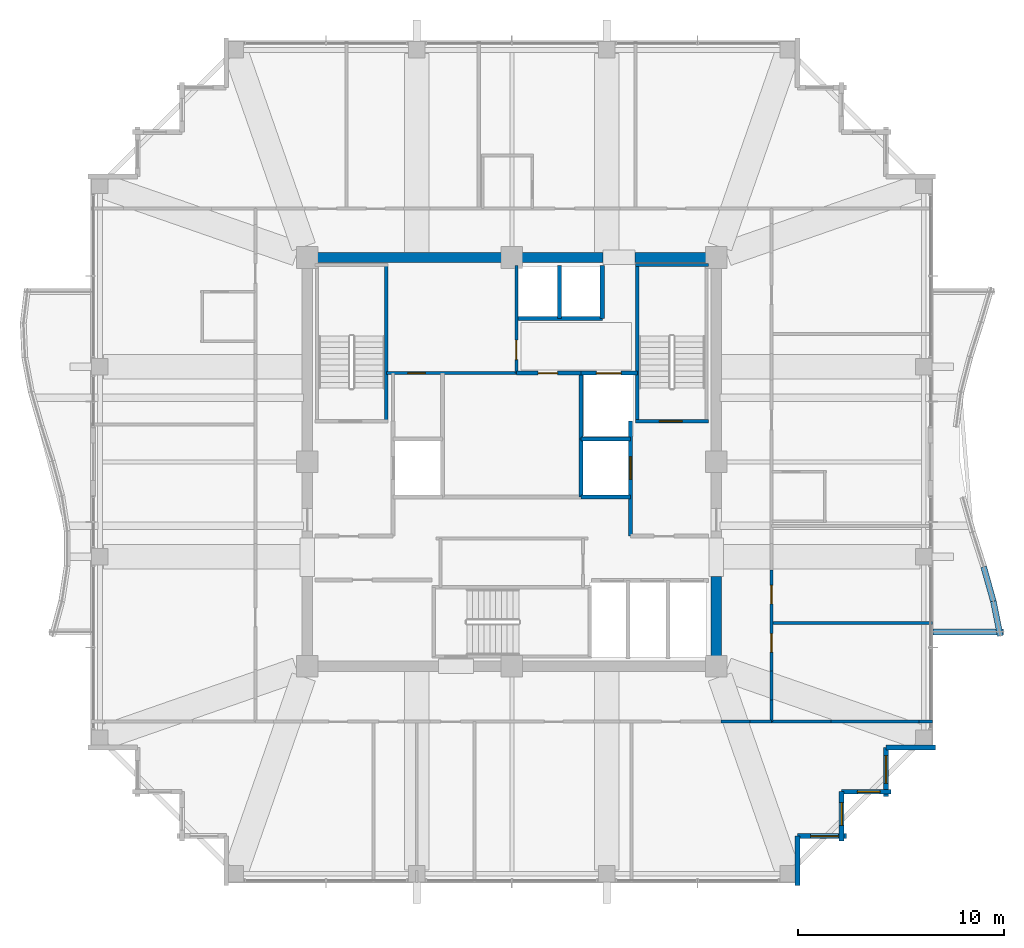
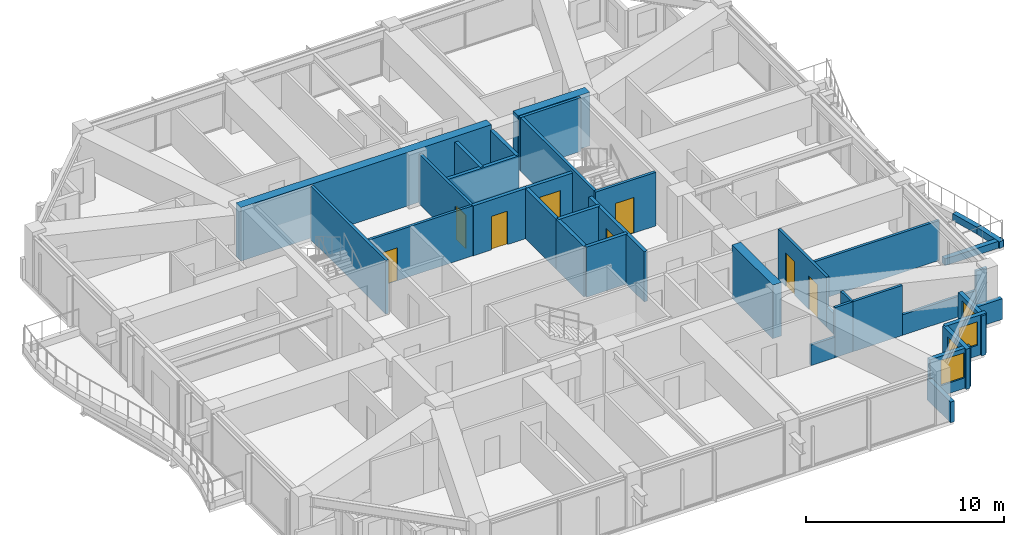
# One storey, part 31 of 35: 37 walls, 8 doors, 4 windows, 12 openings.
"""IFC4 building model written with IfcOpenShell, lengths in metres."""

from ifc_helpers import new_model, si_unit, direction, frame, frame_2d, origin, place, context, subcontext, project, spatial, rectangle, extrude, material, layer, layer_set, type_object, element, fill, save


model = new_model("IFC4")

# Units and contexts
model_context = context("Model", 3, precision=1e-05, world=origin(), true_north=direction((0.0, 1.0)))
body_context = subcontext(model_context, "Body", "Model", "MODEL_VIEW")
ifc_project = project(units=[si_unit("LENGTHUNIT", "METRE"), si_unit("AREAUNIT", "SQUARE_METRE"), si_unit("VOLUMEUNIT", "CUBIC_METRE"), si_unit("PLANEANGLEUNIT", "RADIAN"), si_unit("MASSUNIT", "GRAM", prefix="KILO")], contexts=[model_context])

# Site, building, storey
site_placement = place(None, origin())
site = spatial("IfcSite", under=ifc_project, at=site_placement, CompositionType="ELEMENT")
building_placement = place(site_placement, origin())
building = spatial("IfcBuilding", under=site, at=building_placement, Name="Kolvaren Belvedere", CompositionType="ELEMENT")
storey_placement = place(building_placement, frame((0.0, 0.0, 203.10009765625)))
storey = spatial("IfcBuildingStorey", under=building, at=storey_placement, Name="L59", CompositionType="ELEMENT", Elevation=203.10009765625)

# Walls
ifc_material_1 = material(Name="Concrete C50/60", Category="concrete")
ifc_layer_1 = layer(ifc_material_1, 0.5)
ifc_layer_set_1 = layer_set([ifc_layer_1], Name="Concrete C50/60")
wall_type_1 = type_object("IfcWallType", Name="CW-CORE-500", PredefinedType="SHEAR", material=ifc_layer_set_1)
wall_1_placement = place(storey_placement, frame((-10.14990234375, 9.89990234375, 0.0), z_axis=(0.0, 0.0, 1.0), x_axis=(1.0, 0.0, 0.0)))
element("IfcWall", 1, at=wall_1_placement, inside=storey, type_object=wall_type_1, Name="L59 North Core Shear Wall 1", PredefinedType="SHEAR", context=body_context, shape_type="SweptSolid", body=[
    extrude(rectangle(XDim=14.56982421875, YDim=0.5, at=frame_2d((7.284912109375, 0.0))), origin(), (0.0, 0.0, 1.0), 3.2998046875),
])
wall_2_placement = place(storey_placement, frame((5.97998046875, 9.89990234375, 0.0), z_axis=(0.0, 0.0, 1.0), x_axis=(1.0, 0.0, 0.0)))
element("IfcWall", 2, at=wall_2_placement, inside=storey, type_object=wall_type_1, Name="L59 North Core Shear Wall 2", PredefinedType="SHEAR", context=body_context, shape_type="SweptSolid", body=[
    extrude(rectangle(XDim=4.169921875, YDim=0.5, at=frame_2d((2.0849609375, 0.0))), origin(), (0.0, 0.0, 1.0), 3.2998046875),
])
wall_3_placement = place(storey_placement, frame((9.89990234375, -9.64990234375, 0.0), z_axis=(0.0, 0.0, 1.0), x_axis=(0.0, 1.0, 0.0)))
element("IfcWall", 3, at=wall_3_placement, inside=storey, type_object=wall_type_1, Name="L59 East Core Shear Wall 1", PredefinedType="SHEAR", context=body_context, shape_type="SweptSolid", body=[
    extrude(rectangle(XDim=4.099853515625, YDim=0.5, at=frame_2d((2.0498046875, 0.0))), origin(), (0.0, 0.0, 1.0), 3.2998046875),
])
ifc_material_2 = material(Name="Concrete C50/60", Category="concrete")
ifc_layer_2 = layer(ifc_material_2, 0.159912109375)
ifc_layer_set_2 = layer_set([ifc_layer_2], Name="Concrete C50/60")
wall_type_2 = type_object("IfcWallType", Name="CW-STAIR-160", PredefinedType="SHEAR", material=ifc_layer_set_2)
wall_4_placement = place(storey_placement, frame((-6.080078125, 1.969970703125, 0.0), z_axis=(0.0, 0.0, 1.0), x_axis=(0.0, 1.0, 0.0)))
element("IfcWall", 4, at=wall_4_placement, inside=storey, type_object=wall_type_2, Name="L59 Stair ST-1 East Shear Wall", PredefinedType="SHEAR", context=body_context, shape_type="SweptSolid", body=[
    extrude(rectangle(XDim=7.56005859375, YDim=0.159912109375, at=frame_2d((3.780029296875, 0.0))), origin(), (0.0, 0.0, 1.0), 3.2998046875),
])

# Wall, opening, door
wall_5_placement = place(storey_placement, frame((6.0, 1.969970703125, 0.0), z_axis=(0.0, 0.0, 1.0), x_axis=(1.0, 0.0, 0.0)))
wall_5 = element("IfcWall", 5, at=wall_5_placement, inside=storey, type_object=wall_type_2, Name="L59 Stair ST-2 South Shear Wall", PredefinedType="SHEAR", context=body_context, shape_type="SweptSolid", body=[
    extrude(rectangle(XDim=3.52001953125, YDim=0.159912109375, at=frame_2d((1.760009765625, 0.0))), origin(), (0.0, 0.0, 1.0), 3.2998046875),
])
opening_1_placement = place(wall_5_placement, frame((1.14990234375, 0.0, 0.0)))
opening_1 = element("IfcOpeningElement", 6, at=opening_1_placement, cuts=wall_5, Name="Opening D-FD90", PredefinedType="OPENING", context=body_context, shape_type="SweptSolid", body=[
    extrude(rectangle(XDim=1.10009765625, YDim=2.199951171875, at=frame_2d((0.550048828125, 1.10009765625))), frame((0.0, 0.08984375, 0.0), z_axis=(0.0, -1.0, 0.0), x_axis=(1.0, 0.0, 0.0)), (0.0, 0.0, 1.0), 0.179931640625),
])
ifc_material_3 = material(Name="Painted hollow stainless steel", Category="steel")
door_type_1 = type_object("IfcDoorType", Name="DR-FD90-1100", OperationType="NOTDEFINED", PredefinedType="DOOR", material=ifc_material_3)
door_1_placement = place(opening_1_placement, origin())
door_1 = element("IfcDoor", 7, at=door_1_placement, inside=storey, type_object=door_type_1, Name="L59 Stair ST-2 Fire Door", OperationType="SINGLE_SWING_RIGHT", OverallHeight=2.199951171875, OverallWidth=1.10009765625, PredefinedType="DOOR", context=body_context, shape_type="SweptSolid", body=[
    extrude(rectangle(XDim=1.10009765625, YDim=2.199951171875, at=frame_2d((0.550048828125, 1.10009765625))), frame((0.0, 0.02490234375, 0.0), z_axis=(0.0, -1.0, 0.0), x_axis=(1.0, 0.0, 0.0)), (0.0, 0.0, 1.0), 0.050048828125),
])
fill(opening_1, door_1)

# Walls
wall_6_placement = place(storey_placement, frame((6.0, 9.530029296875, 0.0), z_axis=(0.0, 0.0, 1.0), x_axis=(1.0, 0.0, 0.0)))
element("IfcWall", 8, at=wall_6_placement, inside=storey, type_object=wall_type_2, Name="L59 Stair ST-2 North Shear Wall", PredefinedType="SHEAR", context=body_context, shape_type="SweptSolid", body=[
    extrude(rectangle(XDim=3.52001953125, YDim=0.159912109375, at=frame_2d((1.760009765625, 0.0))), origin(), (0.0, 0.0, 1.0), 3.2998046875),
])
wall_7_placement = place(storey_placement, frame((6.080078125, 1.969970703125, 0.0), z_axis=(0.0, 0.0, 1.0), x_axis=(0.0, 1.0, 0.0)))
element("IfcWall", 9, at=wall_7_placement, inside=storey, type_object=wall_type_2, Name="L59 Stair ST-2 West Shear Wall", PredefinedType="SHEAR", context=body_context, shape_type="SweptSolid", body=[
    extrude(rectangle(XDim=7.56005859375, YDim=0.159912109375, at=frame_2d((3.780029296875, 0.0))), origin(), (0.0, 0.0, 1.0), 3.2998046875),
])
ifc_material_4 = material(Name="Gypsum fire-rated partition assembly", Category="gypsum")
ifc_layer_3 = layer(ifc_material_4, 0.14990234375)
ifc_layer_set_3 = layer_set([ifc_layer_3], Name="Gypsum fire-rated partition assembly")
wall_type_3 = type_object("IfcWallType", Name="WL-CORR-150", PredefinedType="PARTITIONING", material=ifc_layer_set_3)
wall_8_placement = place(storey_placement, frame((10.125, -12.580078125, 0.0), z_axis=(0.0, 0.0, 1.0), x_axis=(1.0, 0.0, 0.0)))
element("IfcWall", 10, at=wall_8_placement, inside=storey, type_object=wall_type_3, Name="L59 South Corridor Wall", PredefinedType="PARTITIONING", context=body_context, shape_type="SweptSolid", body=[
    extrude(rectangle(XDim=1.416748046875, YDim=0.14990234375, at=frame_2d((0.70849609375, 0.0))), origin(), (0.0, 0.0, 1.0), 1.264892578125),
])
for number, where, z_axis, x_axis, name in (
    (11, (11.541748046875, -12.580078125, 0.0), (0.0, 0.0, 1.0), (1.0, 0.0, 0.0), "L59 South Corridor Wall"),
    (12, (12.580078125, -12.580078125, 0.0), (0.0, 0.0, 1.0), (0.0, 1.0, 0.0), "L59 East Corridor Wall"),
):
    element("IfcWall", number, at=place(storey_placement, frame(where, z_axis=z_axis, x_axis=x_axis)), inside=storey, type_object=wall_type_3, Name=name, PredefinedType="PARTITIONING", context=body_context, shape_type="SweptSolid", body=[
        extrude(rectangle(XDim=1.038330078125, YDim=0.14990234375, at=frame_2d((0.51904296875, 0.0))), origin(), (0.0, 0.0, 1.0), 3.079833984375),
    ])
wall_9_placement = place(storey_placement, frame((12.580078125, -11.541748046875, 0.0), z_axis=(0.0, 0.0, 1.0), x_axis=(0.0, 1.0, 0.0)))
element("IfcWall", 13, at=wall_9_placement, inside=storey, type_object=wall_type_3, Name="L59 East Corridor Wall", PredefinedType="PARTITIONING", context=body_context, shape_type="SweptSolid", body=[
    extrude(rectangle(XDim=1.416748046875, YDim=0.14990234375, at=frame_2d((0.70849609375, 0.0))), origin(), (0.0, 0.0, 1.0), 1.264892578125),
])

# Wall, openings, doors
wall_10_placement = place(storey_placement, frame((12.580078125, -10.125, 0.0), z_axis=(0.0, 0.0, 1.0), x_axis=(0.0, 1.0, 0.0)))
wall_10 = element("IfcWall", 14, at=wall_10_placement, inside=storey, type_object=wall_type_3, Name="L59 East Corridor Wall", PredefinedType="PARTITIONING", context=body_context, shape_type="SweptSolid", body=[
    extrude(rectangle(XDim=4.883056640625, YDim=0.14990234375, at=frame_2d((2.44140625, 0.0))), origin(), (0.0, 0.0, 1.0), 3.079833984375),
])
opening_2_placement = place(wall_10_placement, frame((0.908203125, 0.0, 0.0)))
opening_2 = element("IfcOpeningElement", 15, at=opening_2_placement, cuts=wall_10, Name="Opening D-INT90", PredefinedType="OPENING", context=body_context, shape_type="SweptSolid", body=[
    extrude(rectangle(XDim=0.89990234375, YDim=2.06005859375, at=frame_2d((0.449951171875, 1.030029296875))), frame((0.0, 0.0849609375, 0.0), z_axis=(0.0, -1.0, 0.0), x_axis=(1.0, 0.0, 0.0)), (0.0, 0.0, 1.0), 0.169921875),
])
opening_3_placement = place(wall_10_placement, frame((3.2431640625, 0.0, 0.0)))
opening_3 = element("IfcOpeningElement", 16, at=opening_3_placement, cuts=wall_10, Name="Opening D-INT90", PredefinedType="OPENING", context=body_context, shape_type="SweptSolid", body=[
    extrude(rectangle(XDim=0.89990234375, YDim=2.06005859375, at=frame_2d((0.449951171875, 1.030029296875))), frame((0.0, 0.0849609375, 0.0), z_axis=(0.0, -1.0, 0.0), x_axis=(1.0, 0.0, 0.0)), (0.0, 0.0, 1.0), 0.169921875),
])
ifc_material_5 = material(Name="Stained Pacific white oak", Category="timber")
door_type_2 = type_object("IfcDoorType", Name="DR-INT-900", OperationType="NOTDEFINED", PredefinedType="DOOR", material=ifc_material_5)
door_2_placement = place(opening_2_placement, origin())
door_2 = element("IfcDoor", 17, at=door_2_placement, inside=storey, type_object=door_type_2, Name="L59 Lounge 5904 Door", OperationType="SINGLE_SWING_LEFT", OverallHeight=2.06005859375, OverallWidth=0.89990234375, PredefinedType="DOOR", context=body_context, shape_type="SweptSolid", body=[
    extrude(rectangle(XDim=0.89990234375, YDim=2.06005859375, at=frame_2d((0.449951171875, 1.030029296875))), frame((0.0, 0.02490234375, 0.0), z_axis=(0.0, -1.0, 0.0), x_axis=(1.0, 0.0, 0.0)), (0.0, 0.0, 1.0), 0.050048828125),
])
fill(opening_2, door_2)
door_3_placement = place(opening_3_placement, origin())
door_3 = element("IfcDoor", 18, at=door_3_placement, inside=storey, type_object=door_type_2, Name="L59 Lounge 5905 Door", OperationType="SINGLE_SWING_RIGHT", OverallHeight=2.06005859375, OverallWidth=0.89990234375, PredefinedType="DOOR", context=body_context, shape_type="SweptSolid", body=[
    extrude(rectangle(XDim=0.89990234375, YDim=2.06005859375, at=frame_2d((0.449951171875, 1.030029296875))), frame((0.0, 0.02490234375, 0.0), z_axis=(0.0, -1.0, 0.0), x_axis=(1.0, 0.0, 0.0)), (0.0, 0.0, 1.0), 0.050048828125),
])
fill(opening_3, door_3)

# Wall
ifc_material_6 = material(Name="Insulated pale-metal facade wall assembly", Category="aluminium")
ifc_layer_4 = layer(ifc_material_6, 0.239990234375)
ifc_layer_set_4 = layer_set([ifc_layer_4], Name="Insulated pale-metal facade wall assembly")
wall_type_4 = type_object("IfcWallType", Name="WL-EXT-240", PredefinedType="STANDARD", material=ifc_layer_set_4)
wall_11_placement = place(storey_placement, frame((13.830078125, -18.1298828125, 0.0), z_axis=(0.0, 0.0, 1.0), x_axis=(0.0, -1.0, 0.0)))
element("IfcWall", 19, at=wall_11_placement, inside=storey, type_object=wall_type_4, Name="L59 Serrated Corner Facade Wall 2", PredefinedType="STANDARD", context=body_context, shape_type="SweptSolid", body=[
    extrude(rectangle(XDim=2.39013671875, YDim=0.239990234375, at=frame_2d((1.195068359375, 0.0))), origin(), (0.0, 0.0, 1.0), 1.27490234375),
])

# Wall, opening, window
wall_12_placement = place(storey_placement, frame((16.219970703125, -18.1298828125, 0.0), z_axis=(0.0, 0.0, 1.0), x_axis=(-1.0, 0.0, 0.0)))
wall_12 = element("IfcWall", 20, at=wall_12_placement, inside=storey, type_object=wall_type_4, Name="L59 Serrated Corner Facade Wall 3", PredefinedType="STANDARD", context=body_context, shape_type="SweptSolid", body=[
    extrude(rectangle(XDim=2.389892578125, YDim=0.239990234375, at=frame_2d((1.19482421875, 0.0))), origin(), (0.0, 0.0, 1.0), 2.462890625),
])
opening_4_placement = place(wall_12_placement, frame((0.39990234375, 0.0, 0.64990234375)))
opening_4 = element("IfcOpeningElement", 21, at=opening_4_placement, cuts=wall_12, Name="Opening W-1350", PredefinedType="OPENING", context=body_context, shape_type="SweptSolid", body=[
    extrude(rectangle(XDim=1.35009765625, YDim=1.550048828125, at=frame_2d((0.675048828125, 0.77490234375))), frame((0.0, 0.1298828125, 0.0), z_axis=(0.0, -1.0, 0.0), x_axis=(1.0, 0.0, 0.0)), (0.0, 0.0, 1.0), 0.260009765625),
])
ifc_material_7 = material(Name="Low-iron triple insulated glass", Category="glass")
window_type_1 = type_object("IfcWindowType", Name="WN-CORN-1350", PartitioningType="SINGLE_PANEL", PredefinedType="WINDOW", material=ifc_material_7)
window_1_placement = place(opening_4_placement, origin())
window_1 = element("IfcWindow", 22, at=window_1_placement, inside=storey, type_object=window_type_1, Name="L59 Serrated Corner Vision Window 3", OverallHeight=1.550048828125, OverallWidth=1.35009765625, PartitioningType="SINGLE_PANEL", PredefinedType="WINDOW", context=body_context, shape_type="SweptSolid", body=[
    extrude(rectangle(XDim=1.35009765625, YDim=1.550048828125, at=frame_2d((0.675048828125, 0.77490234375))), frame((0.0, 0.030029296875, 0.0), z_axis=(0.0, -1.0, 0.0), x_axis=(1.0, 0.0, 0.0)), (0.0, 0.0, 1.0), 0.06005859375),
])
fill(opening_4, window_1)

wall_13_placement = place(storey_placement, frame((15.97998046875, -15.97998046875, 0.0), z_axis=(0.0, 0.0, 1.0), x_axis=(0.0, -1.0, 0.0)))
wall_13 = element("IfcWall", 23, at=wall_13_placement, inside=storey, type_object=wall_type_4, Name="L59 Serrated Corner Facade Wall 4", PredefinedType="STANDARD", context=body_context, shape_type="SweptSolid", body=[
    extrude(rectangle(XDim=2.39013671875, YDim=0.239990234375, at=frame_2d((1.195068359375, 0.0))), origin(), (0.0, 0.0, 1.0), 2.462890625),
])
opening_5_placement = place(wall_13_placement, frame((0.52490234375, 0.0, 0.64990234375)))
opening_5 = element("IfcOpeningElement", 24, at=opening_5_placement, cuts=wall_13, Name="Opening W-1100", PredefinedType="OPENING", context=body_context, shape_type="SweptSolid", body=[
    extrude(rectangle(XDim=1.10009765625, YDim=1.449951171875, at=frame_2d((0.550048828125, 0.72509765625))), frame((0.0, 0.1298828125, 0.0), z_axis=(0.0, -1.0, 0.0), x_axis=(1.0, 0.0, 0.0)), (0.0, 0.0, 1.0), 0.260009765625),
])
ifc_material_8 = material(Name="Low-iron triple insulated glass", Category="glass")
window_type_2 = type_object("IfcWindowType", Name="WN-CORN-1100", PartitioningType="SINGLE_PANEL", PredefinedType="WINDOW", material=ifc_material_8)
window_2_placement = place(opening_5_placement, origin())
window_2 = element("IfcWindow", 25, at=window_2_placement, inside=storey, type_object=window_type_2, Name="L59 Serrated Corner Vision Window 4", OverallHeight=1.449951171875, OverallWidth=1.10009765625, PartitioningType="SINGLE_PANEL", PredefinedType="WINDOW", context=body_context, shape_type="SweptSolid", body=[
    extrude(rectangle(XDim=1.10009765625, YDim=1.449951171875, at=frame_2d((0.550048828125, 0.72509765625))), frame((0.0, 0.030029296875, 0.0), z_axis=(0.0, -1.0, 0.0), x_axis=(1.0, 0.0, 0.0)), (0.0, 0.0, 1.0), 0.06005859375),
])
fill(opening_5, window_2)

wall_14_placement = place(storey_placement, frame((18.3701171875, -15.97998046875, 0.0), z_axis=(0.0, 0.0, 1.0), x_axis=(-1.0, 0.0, 0.0)))
wall_14 = element("IfcWall", 26, at=wall_14_placement, inside=storey, type_object=wall_type_4, Name="L59 Serrated Corner Facade Wall 5", PredefinedType="STANDARD", context=body_context, shape_type="SweptSolid", body=[
    extrude(rectangle(XDim=2.39013671875, YDim=0.239990234375, at=frame_2d((1.195068359375, 0.0))), origin(), (0.0, 0.0, 1.0), 2.462890625),
])
opening_6_placement = place(wall_14_placement, frame((0.52490234375, 0.0, 0.64990234375)))
opening_6 = element("IfcOpeningElement", 27, at=opening_6_placement, cuts=wall_14, Name="Opening W-1100", PredefinedType="OPENING", context=body_context, shape_type="SweptSolid", body=[
    extrude(rectangle(XDim=1.10009765625, YDim=1.449951171875, at=frame_2d((0.550048828125, 0.72509765625))), frame((0.0, 0.1298828125, 0.0), z_axis=(0.0, -1.0, 0.0), x_axis=(1.0, 0.0, 0.0)), (0.0, 0.0, 1.0), 0.260009765625),
])
window_3_placement = place(opening_6_placement, origin())
window_3 = element("IfcWindow", 28, at=window_3_placement, inside=storey, type_object=window_type_2, Name="L59 Serrated Corner Vision Window 5", OverallHeight=1.449951171875, OverallWidth=1.10009765625, PartitioningType="SINGLE_PANEL", PredefinedType="WINDOW", context=body_context, shape_type="SweptSolid", body=[
    extrude(rectangle(XDim=1.10009765625, YDim=1.449951171875, at=frame_2d((0.550048828125, 0.72509765625))), frame((0.0, 0.030029296875, 0.0), z_axis=(0.0, -1.0, 0.0), x_axis=(1.0, 0.0, 0.0)), (0.0, 0.0, 1.0), 0.06005859375),
])
fill(opening_6, window_3)

wall_15_placement = place(storey_placement, frame((18.1298828125, -13.830078125, 0.0), z_axis=(0.0, 0.0, 1.0), x_axis=(0.0, -1.0, 0.0)))
wall_15 = element("IfcWall", 29, at=wall_15_placement, inside=storey, type_object=wall_type_4, Name="L59 Serrated Corner Facade Wall 6", PredefinedType="STANDARD", context=body_context, shape_type="SweptSolid", body=[
    extrude(rectangle(XDim=2.389892578125, YDim=0.239990234375, at=frame_2d((1.19482421875, 0.0))), origin(), (0.0, 0.0, 1.0), 2.462890625),
])
opening_7_placement = place(wall_15_placement, frame((0.39990234375, 0.0, 0.64990234375)))
opening_7 = element("IfcOpeningElement", 30, at=opening_7_placement, cuts=wall_15, Name="Opening W-1350", PredefinedType="OPENING", context=body_context, shape_type="SweptSolid", body=[
    extrude(rectangle(XDim=1.35009765625, YDim=1.550048828125, at=frame_2d((0.675048828125, 0.77490234375))), frame((0.0, 0.1298828125, 0.0), z_axis=(0.0, -1.0, 0.0), x_axis=(1.0, 0.0, 0.0)), (0.0, 0.0, 1.0), 0.260009765625),
])
window_4_placement = place(opening_7_placement, origin())
window_4 = element("IfcWindow", 31, at=window_4_placement, inside=storey, type_object=window_type_1, Name="L59 Serrated Corner Vision Window 6", OverallHeight=1.550048828125, OverallWidth=1.35009765625, PartitioningType="SINGLE_PANEL", PredefinedType="WINDOW", context=body_context, shape_type="SweptSolid", body=[
    extrude(rectangle(XDim=1.35009765625, YDim=1.550048828125, at=frame_2d((0.675048828125, 0.77490234375))), frame((0.0, 0.030029296875, 0.0), z_axis=(0.0, -1.0, 0.0), x_axis=(1.0, 0.0, 0.0)), (0.0, 0.0, 1.0), 0.06005859375),
])
fill(opening_7, window_4)

# Wall
wall_16_placement = place(storey_placement, frame((20.52001953125, -13.830078125, 0.0), z_axis=(0.0, 0.0, 1.0), x_axis=(-1.0, 0.0, 0.0)))
element("IfcWall", 32, at=wall_16_placement, inside=storey, type_object=wall_type_4, Name="L59 Serrated Corner Facade Wall 7", PredefinedType="STANDARD", context=body_context, shape_type="SweptSolid", body=[
    extrude(rectangle(XDim=2.39013671875, YDim=0.239990234375, at=frame_2d((1.195068359375, 0.0))), origin(), (0.0, 0.0, 1.0), 1.27490234375),
])

# Wall, opening, door
ifc_material_9 = material(Name="Gypsum acoustic partition assembly", Category="gypsum")
ifc_layer_5 = layer(ifc_material_9, 0.14990234375)
ifc_layer_set_5 = layer_set([ifc_layer_5], Name="Gypsum acoustic partition assembly")
wall_type_5 = type_object("IfcWallType", Name="WL-PART-150", PredefinedType="PARTITIONING", material=ifc_layer_set_5)
wall_17_placement = place(storey_placement, frame((-6.080078125, 4.300048828125, 0.0), z_axis=(0.0, 0.0, 1.0), x_axis=(1.0, 0.0, 0.0)))
wall_17 = element("IfcWall", 33, at=wall_17_placement, inside=storey, type_object=wall_type_5, Name="L59 Reclaimed Salon South Wall", PredefinedType="PARTITIONING", context=body_context, shape_type="SweptSolid", body=[
    extrude(rectangle(XDim=6.300048828125, YDim=0.14990234375, at=frame_2d((3.14990234375, 0.0))), origin(), (0.0, 0.0, 1.0), 3.079833984375),
])
opening_8_placement = place(wall_17_placement, frame((1.050048828125, 0.0, 0.0)))
opening_8 = element("IfcOpeningElement", 34, at=opening_8_placement, cuts=wall_17, Name="Opening D-INT85", PredefinedType="OPENING", context=body_context, shape_type="SweptSolid", body=[
    extrude(rectangle(XDim=0.85009765625, YDim=2.030029296875, at=frame_2d((0.425048828125, 1.01513671875))), frame((0.0, 0.0849609375, 0.0), z_axis=(0.0, -1.0, 0.0), x_axis=(1.0, 0.0, 0.0)), (0.0, 0.0, 1.0), 0.169921875),
])
ifc_material_10 = material(Name="Stained Pacific white oak", Category="timber")
door_type_3 = type_object("IfcDoorType", Name="DR-INT-850", OperationType="NOTDEFINED", PredefinedType="DOOR", material=ifc_material_10)
door_4_placement = place(opening_8_placement, origin())
door_4 = element("IfcDoor", 35, at=door_4_placement, inside=storey, type_object=door_type_3, Name="L59 NW Core Store Door", OperationType="SINGLE_SWING_RIGHT", OverallHeight=2.030029296875, OverallWidth=0.85009765625, PredefinedType="DOOR", context=body_context, shape_type="SweptSolid", body=[
    extrude(rectangle(XDim=0.85009765625, YDim=2.030029296875, at=frame_2d((0.425048828125, 1.01513671875))), frame((0.0, 0.02490234375, 0.0), z_axis=(0.0, -1.0, 0.0), x_axis=(1.0, 0.0, 0.0)), (0.0, 0.0, 1.0), 0.050048828125),
])
fill(opening_8, door_4)

wall_18_placement = place(storey_placement, frame((0.219970703125, 4.300048828125, 0.0), z_axis=(0.0, 0.0, 1.0), x_axis=(0.0, 1.0, 0.0)))
wall_18 = element("IfcWall", 36, at=wall_18_placement, inside=storey, type_object=wall_type_5, Name="L59 Reclaimed Salon East Wall", PredefinedType="PARTITIONING", context=body_context, shape_type="SweptSolid", body=[
    extrude(rectangle(XDim=5.219970703125, YDim=0.14990234375, at=frame_2d((2.60986328125, 0.0))), origin(), (0.0, 0.0, 1.0), 3.079833984375),
])
opening_9_placement = place(wall_18_placement, frame((0.64990234375, 0.0, 0.0)))
opening_9 = element("IfcOpeningElement", 37, at=opening_9_placement, cuts=wall_18, Name="Opening D-INT95", PredefinedType="OPENING", context=body_context, shape_type="SweptSolid", body=[
    extrude(rectangle(XDim=0.949951171875, YDim=2.06005859375, at=frame_2d((0.47509765625, 1.030029296875))), frame((0.0, 0.0849609375, 0.0), z_axis=(0.0, -1.0, 0.0), x_axis=(1.0, 0.0, 0.0)), (0.0, 0.0, 1.0), 0.169921875),
])
ifc_material_11 = material(Name="Stained Pacific white oak", Category="timber")
door_type_4 = type_object("IfcDoorType", Name="DR-INT-950", OperationType="NOTDEFINED", PredefinedType="DOOR", material=ifc_material_11)
door_5_placement = place(opening_9_placement, origin())
door_5 = element("IfcDoor", 38, at=door_5_placement, inside=storey, type_object=door_type_4, Name="L59 Botanical Reading Salon Door", OperationType="SINGLE_SWING_LEFT", OverallHeight=2.06005859375, OverallWidth=0.949951171875, PredefinedType="DOOR", context=body_context, shape_type="SweptSolid", body=[
    extrude(rectangle(XDim=0.949951171875, YDim=2.06005859375, at=frame_2d((0.47509765625, 1.030029296875))), frame((0.0, 0.02490234375, 0.0), z_axis=(0.0, -1.0, 0.0), x_axis=(1.0, 0.0, 0.0)), (0.0, 0.0, 1.0), 0.050048828125),
])
fill(opening_9, door_5)

# Walls
wall_19_placement = place(storey_placement, frame((12.580078125, -12.580078125, 0.0), z_axis=(0.0, 0.0, 1.0), x_axis=(1.0, 0.0, 0.0)))
element("IfcWall", 39, at=wall_19_placement, inside=storey, type_object=wall_type_5, Name="L59 Wing Divider PW-L59-QSE", PredefinedType="PARTITIONING", context=body_context, shape_type="SweptSolid", body=[
    extrude(rectangle(XDim=2.87451171875, YDim=0.14990234375, at=frame_2d((1.437255859375, 0.0))), origin(), (0.0, 0.0, 1.0), 3.079833984375),
])
wall_20_placement = place(storey_placement, frame((15.45458984375, -12.580078125, 0.0), z_axis=(0.0, 0.0, 1.0), x_axis=(1.0, 0.0, 0.0)))
element("IfcWall", 40, at=wall_20_placement, inside=storey, type_object=wall_type_5, Name="L59 Wing Divider PW-L59-QSE", PredefinedType="PARTITIONING", context=body_context, shape_type="SweptSolid", body=[
    extrude(rectangle(XDim=4.281494140625, YDim=0.14990234375, at=frame_2d((2.140625, 0.0))), origin(), (0.0, 0.0, 1.0), 1.264892578125),
])
wall_21_placement = place(storey_placement, frame((19.736083984375, -12.580078125, 0.0), z_axis=(0.0, 0.0, 1.0), x_axis=(1.0, 0.0, 0.0)))
element("IfcWall", 41, at=wall_21_placement, inside=storey, type_object=wall_type_5, Name="L59 Wing Divider PW-L59-QSE", PredefinedType="PARTITIONING", context=body_context, shape_type="SweptSolid", body=[
    extrude(rectangle(XDim=0.643798828125, YDim=0.14990234375, at=frame_2d((0.32177734375, 0.0))), origin(), (0.0, 0.0, 1.0), 2.452880859375),
])
wall_22_placement = place(storey_placement, frame((12.580078125, -7.800048828125, 0.0), z_axis=(0.0, 0.0, 1.0), x_axis=(1.0, 0.0, 0.0)))
element("IfcWall", 42, at=wall_22_placement, inside=storey, type_object=wall_type_5, Name="L59 East Suite Demising Wall 1", PredefinedType="PARTITIONING", context=body_context, shape_type="SweptSolid", body=[
    extrude(rectangle(XDim=7.7998046875, YDim=0.14990234375, at=frame_2d((3.89990234375, 0.0))), origin(), (0.0, 0.0, 1.0), 2.452880859375),
])
ifc_material_12 = material(Name="Precast concrete C40/50", Category="concrete")
ifc_layer_6 = layer(ifc_material_12, 0.300048828125)
ifc_layer_set_6 = layer_set([ifc_layer_6], Name="Precast concrete C40/50")
wall_type_6 = type_object("IfcWallType", Name="WL-PLANTER-300", PredefinedType="PARAPET", material=ifc_layer_set_6)
wall_23_placement = place(storey_placement, frame((23.6630859375, -8.431884765625, -0.0400390625), z_axis=(0.0, 0.0, 1.0), x_axis=(-0.198662427795, 0.980067977123, 0.0)))
element("IfcWall", 43, at=wall_23_placement, inside=storey, type_object=wall_type_6, Name="L59 Precast Structural Planter Wall BAL-E-1", PredefinedType="PARAPET", context=body_context, shape_type="SweptSolid", body=[
    extrude(rectangle(XDim=1.71435546875, YDim=0.280029296875, at=frame_2d((0.857177734375, 0.0))), origin(), (0.0, 0.0, 1.0), 0.419921875),
])
wall_24_placement = place(storey_placement, frame((23.3251953125, -6.76318359375, -0.0400390625), z_axis=(0.0, 0.0, 1.0), x_axis=(-0.269801210823, 0.962916043401, 0.0)))
element("IfcWall", 44, at=wall_24_placement, inside=storey, type_object=wall_type_6, Name="L59 Precast Structural Planter Wall BAL-E-2", PredefinedType="PARAPET", context=body_context, shape_type="SweptSolid", body=[
    extrude(rectangle(XDim=1.74462890625, YDim=0.280029296875, at=frame_2d((0.872314453125, 0.0))), origin(), (0.0, 0.0, 1.0), 0.419921875),
])
wall_25_placement = place(storey_placement, frame((20.39990234375, -8.239990234375, -0.0400390625), z_axis=(0.0, 0.0, 1.0), x_axis=(1.0, 0.0, 0.0)))
element("IfcWall", 45, at=wall_25_placement, inside=storey, type_object=wall_type_6, Name="L59 Precast Structural Planter Wall BAL-E-22", PredefinedType="PARAPET", context=body_context, shape_type="SweptSolid", body=[
    extrude(rectangle(XDim=3.420166015625, YDim=0.280029296875, at=frame_2d((1.7099609375, 0.0))), origin(), (0.0, 0.0, 1.0), 0.419921875),
])

# Wall, opening, door
ifc_material_13 = material(Name="Concrete C50/60", Category="concrete")
ifc_layer_7 = layer(ifc_material_13, 0.199951171875)
ifc_layer_set_7 = layer_set([ifc_layer_7], Name="Concrete C50/60")
wall_type_7 = type_object("IfcWallType", Name="WL-SHAFT-200", PredefinedType="SOLIDWALL", material=ifc_layer_set_7)
wall_26_placement = place(storey_placement, frame((5.75, -3.60009765625, 0.0), z_axis=(0.0, 0.0, 1.0), x_axis=(0.0, 1.0, 0.0)))
wall_26 = element("IfcWall", 46, at=wall_26_placement, inside=storey, type_object=wall_type_7, Name="L59 FSAE FS2 Landing Wall", PredefinedType="SOLIDWALL", context=body_context, shape_type="SweptSolid", body=[
    extrude(rectangle(XDim=5.570068359375, YDim=0.199951171875, at=frame_2d((2.78515625, 0.0))), origin(), (0.0, 0.0, 1.0), 3.079833984375),
])
opening_10_placement = place(wall_26_placement, frame((2.75, 0.0, 0.0)))
opening_10 = element("IfcOpeningElement", 47, at=opening_10_placement, cuts=wall_26, Name="Opening LD-11", PredefinedType="OPENING", context=body_context, shape_type="SweptSolid", body=[
    extrude(rectangle(XDim=1.10009765625, YDim=2.199951171875, at=frame_2d((0.550048828125, 1.10009765625))), frame((0.0, 0.10986328125, 0.0), z_axis=(0.0, -1.0, 0.0), x_axis=(1.0, 0.0, 0.0)), (0.0, 0.0, 1.0), 0.219970703125),
])
ifc_material_14 = material(Name="Brushed stainless steel", Category="steel")
door_type_5 = type_object("IfcDoorType", Name="DR-LIFT-1100", OperationType="DOUBLE_DOOR_SLIDING", PredefinedType="DOOR", material=ifc_material_14)
door_6_placement = place(opening_10_placement, origin())
door_6 = element("IfcDoor", 48, at=door_6_placement, inside=storey, type_object=door_type_5, Name="L59 Firefighting Lift FS2 Landing Door", OperationType="DOUBLE_DOOR_SLIDING", OverallHeight=2.199951171875, OverallWidth=1.10009765625, PredefinedType="DOOR", context=body_context, shape_type="SweptSolid", body=[
    extrude(rectangle(XDim=1.10009765625, YDim=2.199951171875, at=frame_2d((0.550048828125, 1.10009765625))), frame((0.0, 0.02490234375, 0.0), z_axis=(0.0, -1.0, 0.0), x_axis=(1.0, 0.0, 0.0)), (0.0, 0.0, 1.0), 0.050048828125),
])
fill(opening_10, door_6)

# Walls
wall_27_placement = place(storey_placement, frame((3.35009765625, -1.699951171875, 0.0), z_axis=(0.0, 0.0, 1.0), x_axis=(0.0, 1.0, 0.0)))
element("IfcWall", 49, at=wall_27_placement, inside=storey, type_object=wall_type_7, Name="L59 FSAE FS2 Back Wall", PredefinedType="SOLIDWALL", context=body_context, shape_type="SweptSolid", body=[
    extrude(rectangle(XDim=2.800048828125, YDim=0.199951171875, at=frame_2d((1.39990234375, 0.0))), origin(), (0.0, 0.0, 1.0), 3.079833984375),
])
for number, where, z_axis, x_axis, name in (
    (50, (3.35009765625, -1.699951171875, 0.0), (0.0, 0.0, 1.0), (1.0, 0.0, 0.0), "L59 FSAE FS2 South Wall"),
    (51, (3.35009765625, 1.10009765625, 0.0), (0.0, 0.0, 1.0), (1.0, 0.0, 0.0), "L59 FSAE FS2 North Wall"),
):
    element("IfcWall", number, at=place(storey_placement, frame(where, z_axis=z_axis, x_axis=x_axis)), inside=storey, type_object=wall_type_7, Name=name, PredefinedType="SOLIDWALL", context=body_context, shape_type="SweptSolid", body=[
        extrude(rectangle(XDim=2.39990234375, YDim=0.199951171875, at=frame_2d((1.199951171875, 0.0))), origin(), (0.0, 0.0, 1.0), 3.079833984375),
    ])

# Wall, opening, door
wall_28_placement = place(storey_placement, frame((3.35009765625, 4.300048828125, 0.0), z_axis=(0.0, 0.0, 1.0), x_axis=(1.0, 0.0, 0.0)))
wall_28 = element("IfcWall", 52, at=wall_28_placement, inside=storey, type_object=wall_type_7, Name="L59 Service Lift SV1 Front Wall", PredefinedType="SOLIDWALL", context=body_context, shape_type="SweptSolid", body=[
    extrude(rectangle(XDim=2.72998046875, YDim=0.199951171875, at=frame_2d((1.364990234375, 0.0))), origin(), (0.0, 0.0, 1.0), 3.079833984375),
])
opening_11_placement = place(wall_28_placement, frame((0.75, 0.0, 0.0)))
opening_11 = element("IfcOpeningElement", 53, at=opening_11_placement, cuts=wall_28, Name="Opening LD-12", PredefinedType="OPENING", context=body_context, shape_type="SweptSolid", body=[
    extrude(rectangle(XDim=1.199951171875, YDim=2.25, at=frame_2d((0.60009765625, 1.125))), frame((0.0, 0.10986328125, 0.0), z_axis=(0.0, -1.0, 0.0), x_axis=(1.0, 0.0, 0.0)), (0.0, 0.0, 1.0), 0.219970703125),
])
ifc_material_15 = material(Name="Brushed stainless steel", Category="steel")
door_type_6 = type_object("IfcDoorType", Name="DR-LIFT-1200", OperationType="DOUBLE_DOOR_SLIDING", PredefinedType="DOOR", material=ifc_material_15)
door_7_placement = place(opening_11_placement, origin())
door_7 = element("IfcDoor", 54, at=door_7_placement, inside=storey, type_object=door_type_6, Name="L59 Service Lift SV1 Landing Door", OperationType="DOUBLE_DOOR_SLIDING", OverallHeight=2.25, OverallWidth=1.199951171875, PredefinedType="DOOR", context=body_context, shape_type="SweptSolid", body=[
    extrude(rectangle(XDim=1.199951171875, YDim=2.25, at=frame_2d((0.60009765625, 1.125))), frame((0.0, 0.02490234375, 0.0), z_axis=(0.0, -1.0, 0.0), x_axis=(1.0, 0.0, 0.0)), (0.0, 0.0, 1.0), 0.050048828125),
])
fill(opening_11, door_7)

# Walls
wall_29_placement = place(storey_placement, frame((0.219970703125, 6.949951171875, 0.0), z_axis=(0.0, 0.0, 1.0), x_axis=(1.0, 0.0, 0.0)))
element("IfcWall", 55, at=wall_29_placement, inside=storey, type_object=wall_type_7, Name="L59 Express Shuttle Hoistway Wall", PredefinedType="SOLIDWALL", context=body_context, shape_type="SweptSolid", body=[
    extrude(rectangle(XDim=4.179931640625, YDim=0.199951171875, at=frame_2d((2.08984375, 0.0))), origin(), (0.0, 0.0, 1.0), 3.079833984375),
])
for number, where, z_axis, x_axis, name in (
    (56, (4.3798828125, 6.949951171875, 0.0), (0.0, 0.0, 1.0), (0.0, 1.0, 0.0), "L59 Express Shuttle East Wall"),
    (57, (2.31005859375, 6.949951171875, 0.0), (0.0, 0.0, 1.0), (0.0, 1.0, 0.0), "L59 Express Shuttle Divider"),
):
    element("IfcWall", number, at=place(storey_placement, frame(where, z_axis=z_axis, x_axis=x_axis)), inside=storey, type_object=wall_type_7, Name=name, PredefinedType="SOLIDWALL", context=body_context, shape_type="SweptSolid", body=[
        extrude(rectangle(XDim=2.570068359375, YDim=0.199951171875, at=frame_2d((1.28515625, 0.0))), origin(), (0.0, 0.0, 1.0), 3.079833984375),
    ])

# Wall, opening, door
wall_30_placement = place(storey_placement, frame((0.219970703125, 4.300048828125, 0.0), z_axis=(0.0, 0.0, 1.0), x_axis=(1.0, 0.0, 0.0)))
wall_30 = element("IfcWall", 58, at=wall_30_placement, inside=storey, type_object=wall_type_7, Name="L59 Central Core Room North Wall", PredefinedType="SOLIDWALL", context=body_context, shape_type="SweptSolid", body=[
    extrude(rectangle(XDim=3.130126953125, YDim=0.199951171875, at=frame_2d((1.56494140625, 0.0))), origin(), (0.0, 0.0, 1.0), 3.079833984375),
])
opening_12_placement = place(wall_30_placement, frame((1.050048828125, 0.0, 0.0)))
opening_12 = element("IfcOpeningElement", 59, at=opening_12_placement, cuts=wall_30, Name="Opening D-FD60", PredefinedType="OPENING", context=body_context, shape_type="SweptSolid", body=[
    extrude(rectangle(XDim=0.949951171875, YDim=2.06005859375, at=frame_2d((0.47509765625, 1.030029296875))), frame((0.0, 0.10986328125, 0.0), z_axis=(0.0, -1.0, 0.0), x_axis=(1.0, 0.0, 0.0)), (0.0, 0.0, 1.0), 0.219970703125),
])
ifc_material_16 = material(Name="Acoustic white-oak fire door leaf", Category="timber")
door_type_7 = type_object("IfcDoorType", Name="DR-FD60-950", OperationType="NOTDEFINED", PredefinedType="DOOR", material=ifc_material_16)
door_8_placement = place(opening_12_placement, origin())
door_8 = element("IfcDoor", 60, at=door_8_placement, inside=storey, type_object=door_type_7, Name="L59 Central Core Controls Door", OperationType="SINGLE_SWING_LEFT", OverallHeight=2.06005859375, OverallWidth=0.949951171875, PredefinedType="DOOR", context=body_context, shape_type="SweptSolid", body=[
    extrude(rectangle(XDim=0.949951171875, YDim=2.06005859375, at=frame_2d((0.47509765625, 1.030029296875))), frame((0.0, 0.02490234375, 0.0), z_axis=(0.0, -1.0, 0.0), x_axis=(1.0, 0.0, 0.0)), (0.0, 0.0, 1.0), 0.050048828125),
])
fill(opening_12, door_8)

# Wall
wall_31_placement = place(storey_placement, frame((3.35009765625, 1.10009765625, 0.0), z_axis=(0.0, 0.0, 1.0), x_axis=(0.0, 1.0, 0.0)))
element("IfcWall", 61, at=wall_31_placement, inside=storey, type_object=wall_type_7, Name="L59 Central Core Room East Wall", PredefinedType="SOLIDWALL", context=body_context, shape_type="SweptSolid", body=[
    extrude(rectangle(XDim=3.199951171875, YDim=0.199951171875, at=frame_2d((1.60009765625, 0.0))), origin(), (0.0, 0.0, 1.0), 3.079833984375),
])

save(model, "model.ifc")
